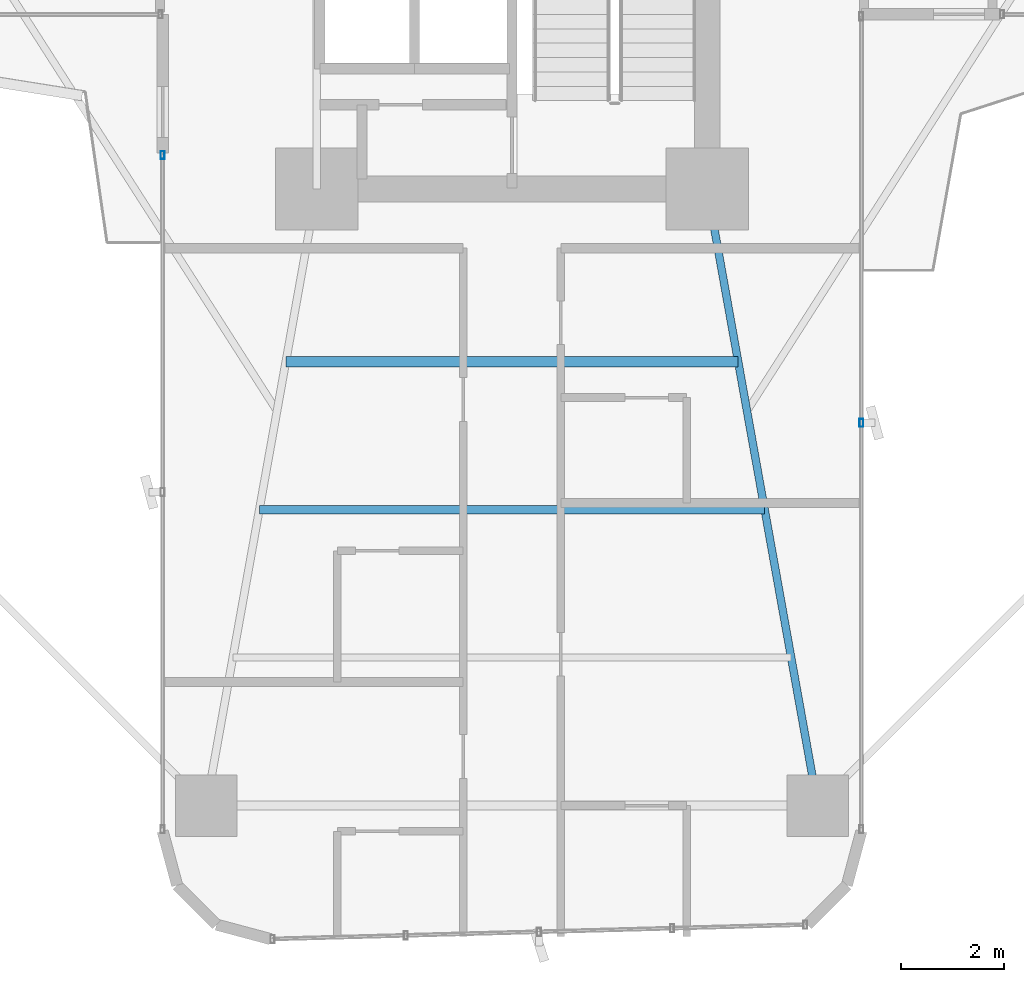
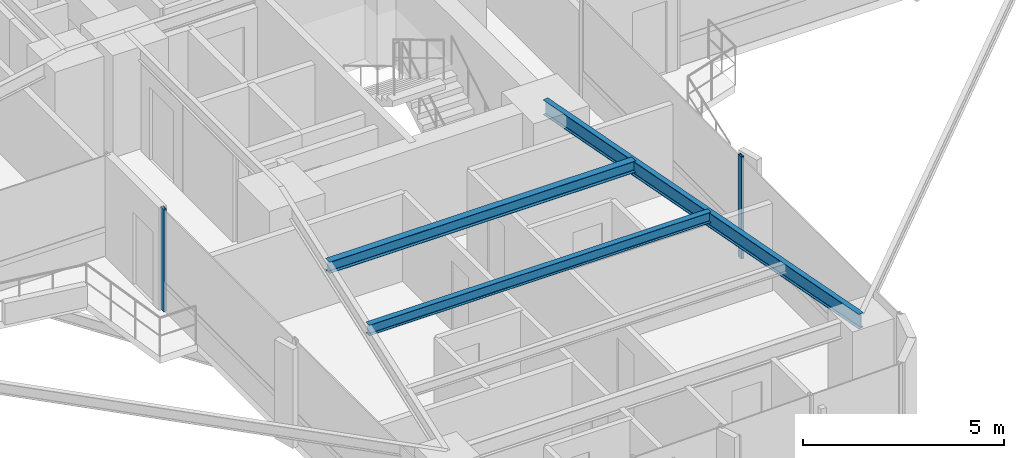
# One storey, part 4 of 25: 3 beams, 2 members, 2 elements without a shape of their own.
"""IFC4 building model written with IfcOpenShell, lengths in metres."""

from ifc_helpers import new_model, si_unit, direction, frame, origin, origin_2d, place, context, subcontext, project, spatial, hollow_rectangle, i_section, extrude, source, transform, mapped, material, material_profile, profile_set, type_object, element, aggregate, save


model = new_model("IFC4")

# Units and contexts
model_context = context("Model", 3, precision=1e-05, world=origin(), true_north=direction((0.0, 1.0)))
body_context = subcontext(model_context, "Body", "Model", "MODEL_VIEW")
ifc_project = project(units=[si_unit("LENGTHUNIT", "METRE"), si_unit("AREAUNIT", "SQUARE_METRE"), si_unit("VOLUMEUNIT", "CUBIC_METRE"), si_unit("PLANEANGLEUNIT", "RADIAN"), si_unit("MASSUNIT", "GRAM", prefix="KILO")], contexts=[model_context])

# Site, building, storey
site_placement = place(None, origin())
site = spatial("IfcSite", under=ifc_project, at=site_placement, CompositionType="ELEMENT")
building_placement = place(site_placement, origin())
building = spatial("IfcBuilding", under=site, at=building_placement, Name="Sahyath Konkavel Grand Hotel", CompositionType="ELEMENT")
storey_placement = place(building_placement, frame((0.0, 0.0, 67.800048828125)))
storey = spatial("IfcBuildingStorey", under=building, at=storey_placement, Name="L18", CompositionType="ELEMENT", Elevation=67.800048828125)

# Beams
ifc_material_1 = material(Name="Steel E350", Category="steel")
ifc_material_profile_1 = material_profile(ifc_material_1, i_section(OverallWidth=0.14990234375, OverallDepth=0.449951171875, WebThickness=0.009521484375, FlangeThickness=0.017333984375, FilletRadius=0.014892578125, at=origin_2d()), Name="ISMB 450")
ifc_profile_set_1 = profile_set([ifc_material_profile_1], Name="Steel E350")
beam_type_1 = type_object("IfcBeamType", Name="BM-ISMB450", PredefinedType="BEAM", material=ifc_profile_set_1)
shared_shape_1 = source(origin(), body_context, "Body", "SweptSolid", [
    extrude(i_section(OverallWidth=0.14990234375, OverallDepth=0.449951171875, WebThickness=0.009521484375, FlangeThickness=0.017333984375, FilletRadius=0.014892578125, at=origin_2d()), origin(), (0.0, 0.0, 1.0), 12.191162109375),
])
beam_1_placement = place(storey_placement, frame((3.800048828125, -10.199951171875, 2.885009765625), z_axis=(0.176350650305, -0.984327409014, 0.0), x_axis=(0.984327409014, 0.176350650305, 0.0)))
element("IfcBeam", 1, at=beam_1_placement, inside=storey, type_object=beam_type_1, Name="L18 Cruciform Radial Girder SB", PredefinedType="BEAM", context=body_context, shape_type="MappedRepresentation", body=[
    mapped(shared_shape_1, transform((0.0, 0.0, 0.0), scale=1.0)),
])
ifc_material_profile_2 = material_profile(ifc_material_1, i_section(OverallWidth=0.199951171875, OverallDepth=0.35009765625, WebThickness=0.008056640625, FlangeThickness=0.011474609375, FilletRadius=0.013916015625, at=origin_2d()), Name="ISWB 350")
ifc_profile_set_2 = profile_set([ifc_material_profile_2], Name="Steel E350")
beam_type_2 = type_object("IfcBeamType", Name="BM-ISWB350", PredefinedType="BEAM", material=ifc_profile_set_2)
shared_shape_2 = source(origin(), body_context, "Body", "SweptSolid", [
    extrude(i_section(OverallWidth=0.199951171875, OverallDepth=0.35009765625, WebThickness=0.008056640625, FlangeThickness=0.011474609375, FilletRadius=0.013916015625, at=origin_2d()), origin(), (0.0, 0.0, 1.0), 8.80419921875),
])
beam_2_placement = place(storey_placement, frame((-4.402099609375, -13.56005859375, 2.93505859375), z_axis=(1.0, 0.0, 0.0), x_axis=(0.0, 1.0, 0.0)))
element("IfcBeam", 2, at=beam_2_placement, inside=storey, type_object=beam_type_2, Name="L18 Secondary Floor Beam S-1", PredefinedType="BEAM", context=body_context, shape_type="MappedRepresentation", body=[
    mapped(shared_shape_2, transform((0.0, 0.0, 0.0), scale=1.0)),
])
ifc_material_profile_3 = material_profile(ifc_material_1, i_section(OverallWidth=0.1650390625, OverallDepth=0.324951171875, WebThickness=0.007080078125, FlangeThickness=0.009765625, FilletRadius=0.014892578125, at=origin_2d()), Name="ISLB 325")
ifc_profile_set_3 = profile_set([ifc_material_profile_3], Name="Steel E350")
beam_type_3 = type_object("IfcBeamType", Name="BM-ISLB325", PredefinedType="BEAM", material=ifc_profile_set_3)
shared_shape_3 = source(origin(), body_context, "Body", "SweptSolid", [
    extrude(i_section(OverallWidth=0.1650390625, OverallDepth=0.324951171875, WebThickness=0.007080078125, FlangeThickness=0.009765625, FilletRadius=0.014892578125, at=origin_2d()), origin(), (0.0, 0.0, 1.0), 9.8359375),
])
beam_3_placement = place(storey_placement, frame((-4.91796875, -16.43994140625, 2.947509765625), z_axis=(1.0, 0.0, 0.0), x_axis=(0.0, 1.0, 0.0)))
element("IfcBeam", 3, at=beam_3_placement, inside=storey, type_object=beam_type_3, Name="L18 Secondary Floor Beam S-2", PredefinedType="BEAM", context=body_context, shape_type="MappedRepresentation", body=[
    mapped(shared_shape_3, transform((0.0, 0.0, 0.0), scale=1.0)),
])

# Curtain wall, member
ifc_material_2 = material(Name="Anodised Bronze Aluminium & Low-E Glazing", Category="aluminium")
curtain_wall_type = type_object("IfcCurtainWallType", Name="CW-ZONE1", PredefinedType="NOTDEFINED", material=ifc_material_2)
curtain_wall_1_placement = place(storey_placement, origin())
curtain_wall_1 = element("IfcCurtainWall", 4, at=curtain_wall_1_placement, inside=storey, type_object=curtain_wall_type, Name="L18 Unitised Curtain Wall F24", PredefinedType="NOTDEFINED")
ifc_material_3 = material(Name="Anodised Bronze Aluminium", Category="aluminium")
ifc_material_profile_4 = material_profile(ifc_material_3, hollow_rectangle(XDim=0.080078125, YDim=0.159912109375, WallThickness=0.006103515625, at=origin_2d()), Name="RHS 160x80x6")
ifc_profile_set_4 = profile_set([ifc_material_profile_4], Name="Anodised Bronze Aluminium")
member_type = type_object("IfcMemberType", Name="CW-MUL-160", PredefinedType="MULLION", material=ifc_profile_set_4)
shared_shape_4 = source(origin(), body_context, "Body", "SweptSolid", [
    extrude(hollow_rectangle(XDim=0.080078125, YDim=0.159912109375, WallThickness=0.006103515625, at=origin_2d()), origin(), (0.0, 0.0, 1.0), 3.10986328125),
])
member_1_placement = place(storey_placement, frame((-6.800048828125, -9.5400390625, 0.0), z_axis=(0.0, 0.0, 1.0), x_axis=(1.0, 0.0, 0.0)))
member_1 = element("IfcMember", 5, at=member_1_placement, type_object=member_type, Name="L18 Curtain Wall Mullion F24-0", PredefinedType="MULLION", context=body_context, shape_type="MappedRepresentation", body=[
    mapped(shared_shape_4, transform((0.0, 0.0, 0.0), scale=1.0)),
])
aggregate(curtain_wall_1, [member_1])

curtain_wall_2_placement = place(storey_placement, origin())
curtain_wall_2 = element("IfcCurtainWall", 6, at=curtain_wall_2_placement, inside=storey, type_object=curtain_wall_type, Name="L18 Unitised Curtain Wall F31", PredefinedType="NOTDEFINED")
member_2_placement = place(storey_placement, frame((6.800048828125, -14.75, 0.0), z_axis=(0.0, 0.0, 1.0), x_axis=(1.0, 0.0, 0.0)))
member_2 = element("IfcMember", 7, at=member_2_placement, type_object=member_type, Name="L18 Curtain Wall Mullion F31-1", PredefinedType="MULLION", context=body_context, shape_type="MappedRepresentation", body=[
    mapped(shared_shape_4, transform((0.0, 0.0, 0.0), scale=1.0)),
])
aggregate(curtain_wall_2, [member_2])

save(model, "model.ifc")
